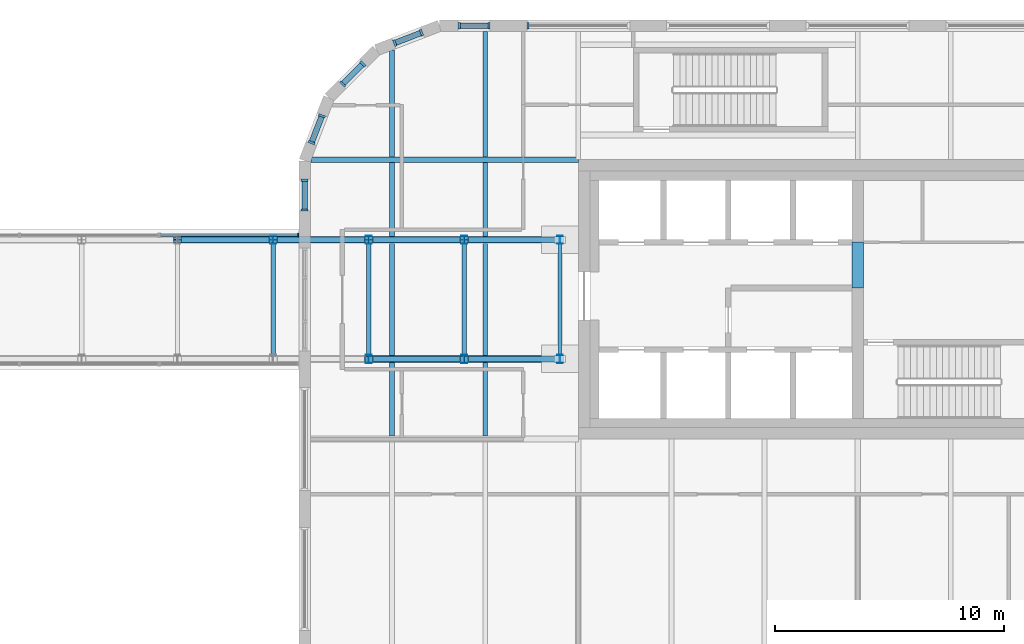
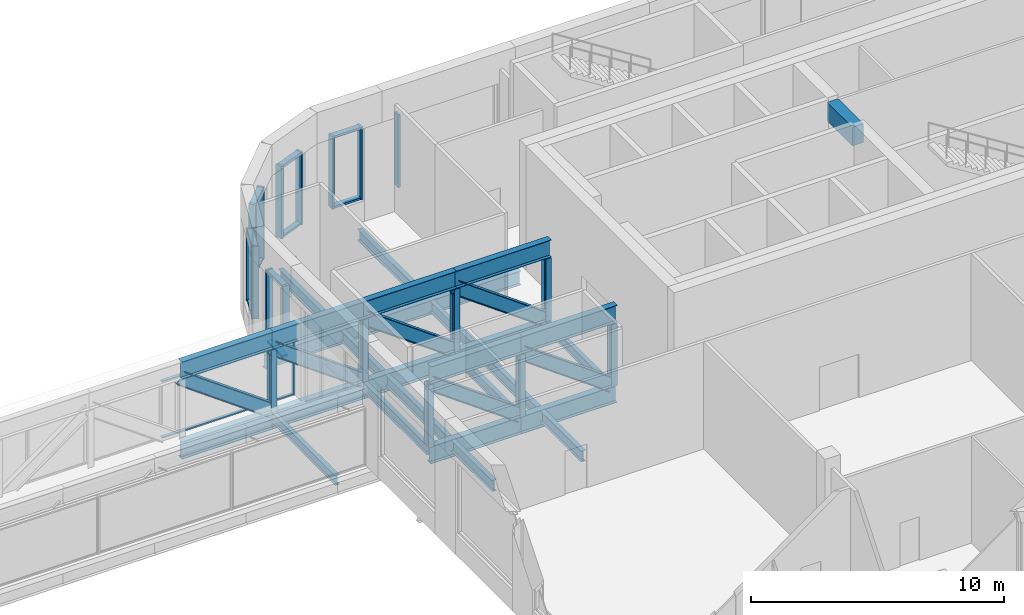
# One storey, part 11 of 36: 37 members, 26 beams, 7 elements without a shape of their own.
"""IFC4 building model written with IfcOpenShell, lengths in metres."""

from ifc_helpers import new_model, si_unit, direction, frame, origin, origin_2d, place, context, subcontext, project, spatial, rectangle, i_section, extrude, material, material_profile, profile_set, type_object, element, aggregate, save


model = new_model("IFC4")

# Units and contexts
model_context = context("Model", 3, precision=1e-05, world=origin(), true_north=direction((0.0, 1.0)))
body_context = subcontext(model_context, "Body", "Model", "MODEL_VIEW")
ifc_project = project(units=[si_unit("LENGTHUNIT", "METRE"), si_unit("AREAUNIT", "SQUARE_METRE"), si_unit("VOLUMEUNIT", "CUBIC_METRE"), si_unit("PLANEANGLEUNIT", "RADIAN"), si_unit("MASSUNIT", "GRAM", prefix="KILO")], contexts=[model_context])

# Site, building, storey
site_placement = place(None, origin())
site = spatial("IfcSite", under=ifc_project, at=site_placement, CompositionType="ELEMENT")
building_placement = place(site_placement, origin())
building = spatial("IfcBuilding", under=site, at=building_placement, Name="Tessera Gate Towers", CompositionType="ELEMENT")
storey_placement = place(building_placement, frame((0.0, 0.0, 106.60009765625)))
storey = spatial("IfcBuildingStorey", under=building, at=storey_placement, Name="L26", CompositionType="ELEMENT", Elevation=106.60009765625)

# Members
ifc_material_1 = material(Name="Steel 350W", Category="steel")
ifc_material_profile_1 = material_profile(ifc_material_1, i_section(OverallWidth=0.22998046875, OverallDepth=0.616943359375, WebThickness=0.01318359375, FlangeThickness=0.022216796875, at=origin_2d()), Name="W610x140")
ifc_profile_set_1 = profile_set([ifc_material_profile_1], Name="Steel 350W")
member_type_1 = type_object("IfcMemberType", Name="BRIDGE BRACE W610x140", PredefinedType="BRACE", material=ifc_profile_set_1)
for number, where, z_axis, x_axis, name in (
    (1, (92.624755859375, 40.10009765625, -0.25), (-0.810374241265, 0.0, 0.585912612165), (0.0, -1.0, 0.0), "BR2 bridge truss G1 brace D9"),
    (2, (96.800048828125, 40.10009765625, -0.25), (-0.810374241265, 0.0, 0.585912612165), (0.0, -1.0, 0.0), "BR2 bridge truss G1 brace D10"),
):
    element("IfcMember", number, at=place(storey_placement, frame(where, z_axis=z_axis, x_axis=x_axis)), inside=storey, type_object=member_type_1, Name=name, PredefinedType="BRACE", context=body_context, shape_type="SweptSolid", body=[
        extrude(i_section(OverallWidth=0.22998046875, OverallDepth=0.616943359375, WebThickness=0.01318359375, FlangeThickness=0.022216796875, at=origin_2d()), origin(), (0.0, 0.0, 1.0), 5.15234375),
    ])
member_1_placement = place(storey_placement, frame((84.274169921875, 45.300048828125, -0.25), z_axis=(-0.810357973442, 0.0, 0.585935111491), x_axis=(0.0, -1.0, 0.0)))
element("IfcMember", 3, at=member_1_placement, inside=storey, type_object=member_type_1, Name="BR2 bridge truss G2 brace D7", PredefinedType="BRACE", context=body_context, shape_type="SweptSolid", body=[
    extrude(i_section(OverallWidth=0.22998046875, OverallDepth=0.616943359375, WebThickness=0.01318359375, FlangeThickness=0.022216796875, at=origin_2d()), origin(), (0.0, 0.0, 1.0), 5.152099609375),
])
for number, where, z_axis, x_axis, name in (
    (4, (88.449462890625, 45.300048828125, -0.25), (-0.810374241265, 0.0, 0.585912612165), (0.0, -1.0, 0.0), "BR2 bridge truss G2 brace D8"),
    (5, (92.624755859375, 45.300048828125, -0.25), (-0.810374241265, 0.0, 0.585912612165), (0.0, -1.0, 0.0), "BR2 bridge truss G2 brace D9"),
    (6, (96.800048828125, 45.300048828125, -0.25), (-0.810374241265, 0.0, 0.585912612165), (0.0, -1.0, 0.0), "BR2 bridge truss G2 brace D10"),
):
    element("IfcMember", number, at=place(storey_placement, frame(where, z_axis=z_axis, x_axis=x_axis)), inside=storey, type_object=member_type_1, Name=name, PredefinedType="BRACE", context=body_context, shape_type="SweptSolid", body=[
        extrude(i_section(OverallWidth=0.22998046875, OverallDepth=0.616943359375, WebThickness=0.01318359375, FlangeThickness=0.022216796875, at=origin_2d()), origin(), (0.0, 0.0, 1.0), 5.15234375),
    ])

# Beams
ifc_material_2 = material(Name="Steel 350W", Category="steel")
ifc_material_profile_2 = material_profile(ifc_material_2, i_section(OverallWidth=0.2919921875, OverallDepth=0.8349609375, WebThickness=0.013916015625, FlangeThickness=0.018798828125, at=origin_2d()), Name="W840x176")
ifc_profile_set_2 = profile_set([ifc_material_profile_2], Name="Steel 350W")
beam_type_1 = type_object("IfcBeamType", Name="BRIDGE CHORD W840x176", PredefinedType="BEAM", material=ifc_profile_set_2)
for number, where, z_axis, x_axis, name in (
    (7, (88.449462890625, 40.10009765625, -0.66748046875), (1.0, 0.0, 0.0), (0.0, 1.0, 0.0), "BR2 bridge truss G1 bottom chord BC9"),
    (8, (88.449462890625, 40.10009765625, 3.1865234375), (1.0, 0.0, 0.0), (0.0, 1.0, 0.0), "BR2 bridge truss G1 top chord TC9"),
):
    element("IfcBeam", number, at=place(storey_placement, frame(where, z_axis=z_axis, x_axis=x_axis)), inside=storey, type_object=beam_type_1, Name=name, PredefinedType="BEAM", context=body_context, shape_type="SweptSolid", body=[
        extrude(i_section(OverallWidth=0.2919921875, OverallDepth=0.8349609375, WebThickness=0.013916015625, FlangeThickness=0.018798828125, at=origin_2d()), origin(), (0.0, 0.0, 1.0), 4.17529296875),
    ])
for number, where, z_axis, x_axis, name in (
    (9, (92.624755859375, 40.10009765625, -0.66748046875), (1.0, 0.0, 0.0), (0.0, 1.0, 0.0), "BR2 bridge truss G1 bottom chord BC10"),
    (10, (92.624755859375, 40.10009765625, 3.1865234375), (1.0, 0.0, 0.0), (0.0, 1.0, 0.0), "BR2 bridge truss G1 top chord TC10"),
):
    element("IfcBeam", number, at=place(storey_placement, frame(where, z_axis=z_axis, x_axis=x_axis)), inside=storey, type_object=beam_type_1, Name=name, PredefinedType="BEAM", context=body_context, shape_type="SweptSolid", body=[
        extrude(i_section(OverallWidth=0.2919921875, OverallDepth=0.8349609375, WebThickness=0.013916015625, FlangeThickness=0.018798828125, at=origin_2d()), origin(), (0.0, 0.0, 1.0), 4.32275390625),
    ])
for number, where, z_axis, x_axis, name in (
    (11, (80.09912109375, 45.300048828125, -0.66748046875), (1.0, 0.0, 0.0), (0.0, 1.0, 0.0), "BR2 bridge truss G2 bottom chord BC7"),
    (12, (80.09912109375, 45.300048828125, 3.1865234375), (1.0, 0.0, 0.0), (0.0, 1.0, 0.0), "BR2 bridge truss G2 top chord TC7"),
):
    element("IfcBeam", number, at=place(storey_placement, frame(where, z_axis=z_axis, x_axis=x_axis)), inside=storey, type_object=beam_type_1, Name=name, PredefinedType="BEAM", context=body_context, shape_type="SweptSolid", body=[
        extrude(i_section(OverallWidth=0.2919921875, OverallDepth=0.8349609375, WebThickness=0.013916015625, FlangeThickness=0.018798828125, at=origin_2d()), origin(), (0.0, 0.0, 1.0), 4.175048828125),
    ])
for number, where, z_axis, x_axis, name in (
    (13, (84.274169921875, 45.300048828125, -0.66748046875), (1.0, 0.0, 0.0), (0.0, 1.0, 0.0), "BR2 bridge truss G2 bottom chord BC8"),
    (14, (84.274169921875, 45.300048828125, 3.1865234375), (1.0, 0.0, 0.0), (0.0, 1.0, 0.0), "BR2 bridge truss G2 top chord TC8"),
    (15, (88.449462890625, 45.300048828125, -0.66748046875), (1.0, 0.0, 0.0), (0.0, 1.0, 0.0), "BR2 bridge truss G2 bottom chord BC9"),
    (16, (88.449462890625, 45.300048828125, 3.1865234375), (1.0, 0.0, 0.0), (0.0, 1.0, 0.0), "BR2 bridge truss G2 top chord TC9"),
):
    element("IfcBeam", number, at=place(storey_placement, frame(where, z_axis=z_axis, x_axis=x_axis)), inside=storey, type_object=beam_type_1, Name=name, PredefinedType="BEAM", context=body_context, shape_type="SweptSolid", body=[
        extrude(i_section(OverallWidth=0.2919921875, OverallDepth=0.8349609375, WebThickness=0.013916015625, FlangeThickness=0.018798828125, at=origin_2d()), origin(), (0.0, 0.0, 1.0), 4.17529296875),
    ])
for number, where, z_axis, x_axis, name in (
    (17, (92.624755859375, 45.300048828125, -0.66748046875), (1.0, 0.0, 0.0), (0.0, 1.0, 0.0), "BR2 bridge truss G2 bottom chord BC10"),
    (18, (92.624755859375, 45.300048828125, 3.1865234375), (1.0, 0.0, 0.0), (0.0, 1.0, 0.0), "BR2 bridge truss G2 top chord TC10"),
):
    element("IfcBeam", number, at=place(storey_placement, frame(where, z_axis=z_axis, x_axis=x_axis)), inside=storey, type_object=beam_type_1, Name=name, PredefinedType="BEAM", context=body_context, shape_type="SweptSolid", body=[
        extrude(i_section(OverallWidth=0.2919921875, OverallDepth=0.8349609375, WebThickness=0.013916015625, FlangeThickness=0.018798828125, at=origin_2d()), origin(), (0.0, 0.0, 1.0), 4.32275390625),
    ])
ifc_material_3 = material(Name="Steel 350W", Category="steel")
ifc_material_profile_3 = material_profile(ifc_material_3, i_section(OverallWidth=0.193115234375, OverallDepth=0.466064453125, WebThickness=0.011474609375, FlangeThickness=0.01904296875, at=origin_2d()), Name="W460x97")
ifc_profile_set_3 = profile_set([ifc_material_profile_3], Name="Steel 350W")
beam_type_2 = type_object("IfcBeamType", Name="BRIDGE CROSS BEAM W460x97", PredefinedType="BEAM", material=ifc_profile_set_3)
for number, where, z_axis, x_axis, name in (
    (19, (84.274169921875, 40.10693359375, -0.483154296875), (0.0, 1.0, 0.0), (-1.0, 0.0, 0.0), "BR2 bridge cross beam X7"),
    (20, (88.449462890625, 40.10693359375, -0.483154296875), (0.0, 1.0, 0.0), (-1.0, 0.0, 0.0), "BR2 bridge cross beam X8"),
    (21, (92.624755859375, 40.10693359375, -0.483154296875), (0.0, 1.0, 0.0), (-1.0, 0.0, 0.0), "BR2 bridge cross beam X9"),
    (22, (96.800048828125, 40.10693359375, -0.483154296875), (0.0, 1.0, 0.0), (-1.0, 0.0, 0.0), "BR2 bridge cross beam X10"),
):
    element("IfcBeam", number, at=place(storey_placement, frame(where, z_axis=z_axis, x_axis=x_axis)), inside=storey, type_object=beam_type_2, Name=name, PredefinedType="BEAM", context=body_context, shape_type="SweptSolid", body=[
        extrude(i_section(OverallWidth=0.193115234375, OverallDepth=0.466064453125, WebThickness=0.011474609375, FlangeThickness=0.01904296875, at=origin_2d()), origin(), (0.0, 0.0, 1.0), 5.18603515625),
    ])

# Members
ifc_material_4 = material(Name="Steel 350W", Category="steel")
ifc_material_profile_4 = material_profile(ifc_material_4, i_section(OverallWidth=0.2548828125, OverallDepth=0.35693359375, WebThickness=0.010498046875, FlangeThickness=0.018310546875, at=origin_2d()), Name="W360x101")
ifc_profile_set_4 = profile_set([ifc_material_profile_4], Name="Steel 350W")
member_type_2 = type_object("IfcMemberType", Name="BRIDGE POST W360x101", PredefinedType="POST", material=ifc_profile_set_4)
for number, where, z_axis, x_axis, name in (
    (23, (88.449462890625, 40.10009765625, -0.25), (0.0, 0.0, 1.0), (1.0, 0.0, 0.0), "BR2 bridge truss G1 post V8"),
    (24, (92.624755859375, 40.10009765625, -0.25), (0.0, 0.0, 1.0), (1.0, 0.0, 0.0), "BR2 bridge truss G1 post V9"),
    (25, (96.800048828125, 40.10009765625, -0.25), (0.0, 0.0, 1.0), (1.0, 0.0, 0.0), "BR2 bridge truss G1 post V10"),
    (26, (84.274169921875, 45.300048828125, -0.25), (0.0, 0.0, 1.0), (1.0, 0.0, 0.0), "BR2 bridge truss G2 post V7"),
    (27, (88.449462890625, 45.300048828125, -0.25), (0.0, 0.0, 1.0), (1.0, 0.0, 0.0), "BR2 bridge truss G2 post V8"),
    (28, (92.624755859375, 45.300048828125, -0.25), (0.0, 0.0, 1.0), (1.0, 0.0, 0.0), "BR2 bridge truss G2 post V9"),
    (29, (96.800048828125, 45.300048828125, -0.25), (0.0, 0.0, 1.0), (1.0, 0.0, 0.0), "BR2 bridge truss G2 post V10"),
):
    element("IfcMember", number, at=place(storey_placement, frame(where, z_axis=z_axis, x_axis=x_axis)), inside=storey, type_object=member_type_2, Name=name, PredefinedType="POST", context=body_context, shape_type="SweptSolid", body=[
        extrude(i_section(OverallWidth=0.2548828125, OverallDepth=0.35693359375, WebThickness=0.010498046875, FlangeThickness=0.018310546875, at=origin_2d()), origin(), (0.0, 0.0, 1.0), 3.018798828125),
    ])

# Beams
ifc_material_5 = material(Name="Concrete C50/60", Category="concrete")
ifc_material_profile_5 = material_profile(ifc_material_5, rectangle(XDim=0.5, YDim=0.89990234375, at=origin_2d()), Name="RC 500x900")
ifc_profile_set_5 = profile_set([ifc_material_profile_5], Name="Concrete C50/60")
beam_type_3 = type_object("IfcBeamType", Name="COUPLING BEAM 500x900 C50/60", PredefinedType="BEAM", material=ifc_profile_set_5)
beam_1_placement = place(storey_placement, frame((109.800048828125, 43.199951171875, 5.349853515625), z_axis=(0.0, 1.0, 0.0), x_axis=(-1.0, 0.0, 0.0)))
element("IfcBeam", 30, at=beam_1_placement, inside=storey, type_object=beam_type_3, Name="L26 coupling beam 1", PredefinedType="BEAM", context=body_context, shape_type="SweptSolid", body=[
    extrude(rectangle(XDim=0.5, YDim=0.89990234375, at=origin_2d()), origin(), (0.0, 0.0, 1.0), 2.0),
])
ifc_material_6 = material(Name="Steel 350W", Category="steel")
ifc_material_profile_6 = material_profile(ifc_material_6, i_section(OverallWidth=0.2529296875, OverallDepth=0.677978515625, WebThickness=0.01171875, FlangeThickness=0.016357421875, at=origin_2d()), Name="W690x125")
ifc_profile_set_6 = profile_set([ifc_material_profile_6], Name="Steel 350W")
beam_type_4 = type_object("IfcBeamType", Name="FLOOR GIRDER W690x125", PredefinedType="BEAM", material=ifc_profile_set_6)
beam_2_placement = place(storey_placement, frame((85.934814453125, 48.800048828125, -0.589111328125), z_axis=(1.0, 0.0, 0.0), x_axis=(0.0, 1.0, 0.0)))
element("IfcBeam", 31, at=beam_2_placement, inside=storey, type_object=beam_type_4, Name="T2-GD-L26-3484", PredefinedType="BEAM", context=body_context, shape_type="SweptSolid", body=[
    extrude(i_section(OverallWidth=0.2529296875, OverallDepth=0.677978515625, WebThickness=0.01171875, FlangeThickness=0.016357421875, at=origin_2d()), origin(), (0.0, 0.0, 1.0), 11.664306640625),
])
ifc_material_7 = material(Name="Steel 350W", Category="steel")
ifc_material_profile_7 = material_profile(ifc_material_7, i_section(OverallWidth=0.208984375, OverallDepth=0.528076171875, WebThickness=0.009521484375, FlangeThickness=0.01318359375, at=origin_2d()), Name="W530x82")
ifc_profile_set_7 = profile_set([ifc_material_profile_7], Name="Steel 350W")
beam_type_5 = type_object("IfcBeamType", Name="FLOOR SECONDARY W530x82", PredefinedType="BEAM", material=ifc_profile_set_7)
beam_3_placement = place(storey_placement, frame((89.466796875, 36.7265625, -0.51416015625), z_axis=(0.0, 1.0, 0.0), x_axis=(-1.0, 0.0, 0.0)))
element("IfcBeam", 32, at=beam_3_placement, inside=storey, type_object=beam_type_5, Name="T2-BM-L26-3496", PredefinedType="BEAM", context=body_context, shape_type="SweptSolid", body=[
    extrude(i_section(OverallWidth=0.208984375, OverallDepth=0.528076171875, WebThickness=0.009521484375, FlangeThickness=0.01318359375, at=origin_2d()), origin(), (0.0, 0.0, 1.0), 3.222412109375),
])
beam_4_placement = place(storey_placement, frame((89.466796875, 45.450927734375, -0.51416015625), z_axis=(0.0, 1.0, 0.0), x_axis=(-1.0, 0.0, 0.0)))
element("IfcBeam", 33, at=beam_4_placement, inside=storey, type_object=beam_type_5, Name="T2-BM-L26-3497", PredefinedType="BEAM", context=body_context, shape_type="SweptSolid", body=[
    extrude(i_section(OverallWidth=0.208984375, OverallDepth=0.528076171875, WebThickness=0.009521484375, FlangeThickness=0.01318359375, at=origin_2d()), origin(), (0.0, 0.0, 1.0), 3.22265625),
])
beam_5_placement = place(storey_placement, frame((89.466796875, 48.926513671875, -0.51416015625), z_axis=(0.0, 1.0, 0.0), x_axis=(-1.0, 0.0, 0.0)))
element("IfcBeam", 34, at=beam_5_placement, inside=storey, type_object=beam_type_5, Name="T2-BM-L26-3498", PredefinedType="BEAM", context=body_context, shape_type="SweptSolid", body=[
    extrude(i_section(OverallWidth=0.208984375, OverallDepth=0.528076171875, WebThickness=0.009521484375, FlangeThickness=0.01318359375, at=origin_2d()), origin(), (0.0, 0.0, 1.0), 4.653076171875),
])
beam_6_placement = place(storey_placement, frame((93.533203125, 36.7265625, -0.51416015625), z_axis=(0.0, 1.0, 0.0), x_axis=(-1.0, 0.0, 0.0)))
element("IfcBeam", 35, at=beam_6_placement, inside=storey, type_object=beam_type_5, Name="T2-BM-L26-3501", PredefinedType="BEAM", context=body_context, shape_type="SweptSolid", body=[
    extrude(i_section(OverallWidth=0.208984375, OverallDepth=0.528076171875, WebThickness=0.009521484375, FlangeThickness=0.01318359375, at=origin_2d()), origin(), (0.0, 0.0, 1.0), 3.222412109375),
])
beam_7_placement = place(storey_placement, frame((93.533203125, 45.450927734375, -0.51416015625), z_axis=(0.0, 1.0, 0.0), x_axis=(-1.0, 0.0, 0.0)))
element("IfcBeam", 36, at=beam_7_placement, inside=storey, type_object=beam_type_5, Name="T2-BM-L26-3502", PredefinedType="BEAM", context=body_context, shape_type="SweptSolid", body=[
    extrude(i_section(OverallWidth=0.208984375, OverallDepth=0.528076171875, WebThickness=0.009521484375, FlangeThickness=0.01318359375, at=origin_2d()), origin(), (0.0, 0.0, 1.0), 3.22265625),
])
beam_8_placement = place(storey_placement, frame((93.533203125, 48.926513671875, -0.51416015625), z_axis=(0.0, 1.0, 0.0), x_axis=(-1.0, 0.0, 0.0)))
element("IfcBeam", 37, at=beam_8_placement, inside=storey, type_object=beam_type_5, Name="T2-BM-L26-3503", PredefinedType="BEAM", context=body_context, shape_type="SweptSolid", body=[
    extrude(i_section(OverallWidth=0.208984375, OverallDepth=0.528076171875, WebThickness=0.009521484375, FlangeThickness=0.01318359375, at=origin_2d()), origin(), (0.0, 0.0, 1.0), 5.473388671875),
])
for number, where, z_axis, x_axis, name in (
    (38, (89.466796875, 40.2509765625, -0.51416015625), (0.0, 1.0, 0.0), (-1.0, 0.0, 0.0), "T2-BM-L26-3517"),
    (39, (93.533203125, 40.2509765625, -0.51416015625), (0.0, 1.0, 0.0), (-1.0, 0.0, 0.0), "T2-BM-L26-3518"),
):
    element("IfcBeam", number, at=place(storey_placement, frame(where, z_axis=z_axis, x_axis=x_axis)), inside=storey, type_object=beam_type_5, Name=name, PredefinedType="BEAM", context=body_context, shape_type="SweptSolid", body=[
        extrude(i_section(OverallWidth=0.208984375, OverallDepth=0.528076171875, WebThickness=0.009521484375, FlangeThickness=0.01318359375, at=origin_2d()), origin(), (0.0, 0.0, 1.0), 4.89794921875),
    ])

# Curtain wall, member
ifc_material_8 = material(Name="Aluminium frame", Category="aluminium")
curtain_wall_type_1 = type_object("IfcCurtainWallType", Name="CW-S3 amenity floor glazing", PredefinedType="NOTDEFINED", material=ifc_material_8)
curtain_wall_1_placement = place(storey_placement, origin())
curtain_wall_1 = element("IfcCurtainWall", 40, at=curtain_wall_1_placement, inside=storey, type_object=curtain_wall_type_1, Name="Curtain wall amenity floor glazing 0135", PredefinedType="NOTDEFINED")
ifc_material_9 = material(Name="Aluminium frame", Category="aluminium")
ifc_material_profile_8 = material_profile(ifc_material_9, rectangle(XDim=0.10009765625, YDim=0.300048828125, at=origin_2d()), Name="AL 100x300")
ifc_profile_set_8 = profile_set([ifc_material_profile_8], Name="Aluminium frame")
member_type_3 = type_object("IfcMemberType", Name="MU-S3 mullion 100x300", PredefinedType="MULLION", material=ifc_profile_set_8)
member_2_placement = place(storey_placement, frame((95.39990234375, 54.64990234375, 1.0), z_axis=(0.0, 0.0, 1.0), x_axis=(-1.0, 0.0, 0.0)))
member_2 = element("IfcMember", 41, at=member_2_placement, type_object=member_type_3, Name="T2-CW3-0135 mullion 2", PredefinedType="MULLION", context=body_context, shape_type="SweptSolid", body=[
    extrude(rectangle(XDim=0.10009765625, YDim=0.300048828125, at=origin_2d()), origin(), (0.0, 0.0, 1.0), 3.5),
])
aggregate(curtain_wall_1, [member_2])

# Curtain wall, members
curtain_wall_2_placement = place(storey_placement, origin())
curtain_wall_2 = element("IfcCurtainWall", 42, at=curtain_wall_2_placement, inside=storey, type_object=curtain_wall_type_1, Name="Curtain wall amenity floor glazing 0136", PredefinedType="NOTDEFINED")
member_3_placement = place(storey_placement, frame((93.699951171875, 54.64990234375, 1.0), z_axis=(0.0, 0.0, 1.0), x_axis=(-1.0, 0.0, 0.0)))
member_3 = element("IfcMember", 43, at=member_3_placement, type_object=member_type_3, Name="T2-CW3-0136 mullion 1", PredefinedType="MULLION", context=body_context, shape_type="SweptSolid", body=[
    extrude(rectangle(XDim=0.10009765625, YDim=0.300048828125, at=origin_2d()), origin(), (0.0, 0.0, 1.0), 3.5),
])
member_4_placement = place(storey_placement, frame((92.396484375, 54.64990234375, 1.0), z_axis=(0.0, 0.0, 1.0), x_axis=(-1.0, 0.0, 0.0)))
member_4 = element("IfcMember", 44, at=member_4_placement, type_object=member_type_3, Name="T2-CW3-0136 mullion 2", PredefinedType="MULLION", context=body_context, shape_type="SweptSolid", body=[
    extrude(rectangle(XDim=0.10009765625, YDim=0.300048828125, at=origin_2d()), origin(), (0.0, 0.0, 1.0), 3.5),
])

curtain_wall_3_placement = place(storey_placement, origin())
curtain_wall_3 = element("IfcCurtainWall", 45, at=curtain_wall_3_placement, inside=storey, type_object=curtain_wall_type_1, Name="Curtain wall amenity floor glazing 0137", PredefinedType="NOTDEFINED")
member_5_placement = place(storey_placement, frame((90.75341796875, 54.343994140625, 1.0), z_axis=(0.0, 0.0, 1.0), x_axis=(-0.932989314041, -0.359904070394, 0.0)))
member_5 = element("IfcMember", 46, at=member_5_placement, type_object=member_type_3, Name="T2-CW3-0137 mullion 1", PredefinedType="MULLION", context=body_context, shape_type="SweptSolid", body=[
    extrude(rectangle(XDim=0.10009765625, YDim=0.300048828125, at=origin_2d()), origin(), (0.0, 0.0, 1.0), 3.5),
])
member_6_placement = place(storey_placement, frame((89.586669921875, 53.89404296875, 1.0), z_axis=(0.0, 0.0, 1.0), x_axis=(-0.932989314041, -0.359904070394, 0.0)))
member_6 = element("IfcMember", 47, at=member_6_placement, type_object=member_type_3, Name="T2-CW3-0137 mullion 2", PredefinedType="MULLION", context=body_context, shape_type="SweptSolid", body=[
    extrude(rectangle(XDim=0.10009765625, YDim=0.300048828125, at=origin_2d()), origin(), (0.0, 0.0, 1.0), 3.5),
])

curtain_wall_4_placement = place(storey_placement, origin())
curtain_wall_4 = element("IfcCurtainWall", 48, at=curtain_wall_4_placement, inside=storey, type_object=curtain_wall_type_1, Name="Curtain wall amenity floor glazing 0138", PredefinedType="NOTDEFINED")
member_7_placement = place(storey_placement, frame((88.192626953125, 52.987060546875, 1.0), z_axis=(0.0, 0.0, 1.0), x_axis=(-0.707106781187, -0.707106781187, 0.0)))
member_7 = element("IfcMember", 49, at=member_7_placement, type_object=member_type_3, Name="T2-CW3-0138 mullion 1", PredefinedType="MULLION", context=body_context, shape_type="SweptSolid", body=[
    extrude(rectangle(XDim=0.10009765625, YDim=0.300048828125, at=origin_2d()), origin(), (0.0, 0.0, 1.0), 3.5),
])
member_8_placement = place(storey_placement, frame((87.31298828125, 52.107421875, 1.0), z_axis=(0.0, 0.0, 1.0), x_axis=(-0.707106781187, -0.707106781187, 0.0)))
member_8 = element("IfcMember", 50, at=member_8_placement, type_object=member_type_3, Name="T2-CW3-0138 mullion 2", PredefinedType="MULLION", context=body_context, shape_type="SweptSolid", body=[
    extrude(rectangle(XDim=0.10009765625, YDim=0.300048828125, at=origin_2d()), origin(), (0.0, 0.0, 1.0), 3.5),
])

curtain_wall_5_placement = place(storey_placement, origin())
curtain_wall_5 = element("IfcCurtainWall", 51, at=curtain_wall_5_placement, inside=storey, type_object=curtain_wall_type_1, Name="Curtain wall amenity floor glazing 0139", PredefinedType="NOTDEFINED")
member_9_placement = place(storey_placement, frame((86.406005859375, 50.713134765625, 1.0), z_axis=(0.0, 0.0, 1.0), x_axis=(-0.359904070394, -0.932989314041, 0.0)))
member_9 = element("IfcMember", 52, at=member_9_placement, type_object=member_type_3, Name="T2-CW3-0139 mullion 1", PredefinedType="MULLION", context=body_context, shape_type="SweptSolid", body=[
    extrude(rectangle(XDim=0.10009765625, YDim=0.300048828125, at=origin_2d()), origin(), (0.0, 0.0, 1.0), 3.5),
])
member_10_placement = place(storey_placement, frame((85.955810546875, 49.54638671875, 1.0), z_axis=(0.0, 0.0, 1.0), x_axis=(-0.359904070394, -0.932989314041, 0.0)))
member_10 = element("IfcMember", 53, at=member_10_placement, type_object=member_type_3, Name="T2-CW3-0139 mullion 2", PredefinedType="MULLION", context=body_context, shape_type="SweptSolid", body=[
    extrude(rectangle(XDim=0.10009765625, YDim=0.300048828125, at=origin_2d()), origin(), (0.0, 0.0, 1.0), 3.5),
])

curtain_wall_6_placement = place(storey_placement, origin())
curtain_wall_6 = element("IfcCurtainWall", 54, at=curtain_wall_6_placement, inside=storey, type_object=curtain_wall_type_1, Name="Curtain wall amenity floor glazing 0140", PredefinedType="NOTDEFINED")
member_11_placement = place(storey_placement, frame((85.64990234375, 47.903564453125, 1.0), z_axis=(0.0, 0.0, 1.0), x_axis=(0.0, -1.0, 0.0)))
member_11 = element("IfcMember", 55, at=member_11_placement, type_object=member_type_3, Name="T2-CW3-0140 mullion 1", PredefinedType="MULLION", context=body_context, shape_type="SweptSolid", body=[
    extrude(rectangle(XDim=0.10009765625, YDim=0.300048828125, at=origin_2d()), origin(), (0.0, 0.0, 1.0), 3.5),
])
member_12_placement = place(storey_placement, frame((85.64990234375, 46.60009765625, 1.0), z_axis=(0.0, 0.0, 1.0), x_axis=(0.0, -1.0, 0.0)))
member_12 = element("IfcMember", 56, at=member_12_placement, type_object=member_type_3, Name="T2-CW3-0140 mullion 2", PredefinedType="MULLION", context=body_context, shape_type="SweptSolid", body=[
    extrude(rectangle(XDim=0.10009765625, YDim=0.300048828125, at=origin_2d()), origin(), (0.0, 0.0, 1.0), 3.5),
])

# Curtain wall, member
ifc_material_10 = material(Name="Aluminium frame", Category="aluminium")
curtain_wall_type_2 = type_object("IfcCurtainWallType", Name="CW-S5 bridge enclosure", PredefinedType="NOTDEFINED", material=ifc_material_10)
curtain_wall_7_placement = place(storey_placement, origin())
curtain_wall_7 = element("IfcCurtainWall", 57, at=curtain_wall_7_placement, inside=storey, type_object=curtain_wall_type_2, Name="Curtain wall bridge enclosure 0233", PredefinedType="NOTDEFINED")
ifc_material_11 = material(Name="Aluminium frame", Category="aluminium")
ifc_material_profile_9 = material_profile(ifc_material_11, rectangle(XDim=0.06005859375, YDim=0.179931640625, at=origin_2d()), Name="AL 60x180")
ifc_profile_set_9 = profile_set([ifc_material_profile_9], Name="Aluminium frame")
member_type_4 = type_object("IfcMemberType", Name="MU-S5 mullion 60x180", PredefinedType="MULLION", material=ifc_profile_set_9)
member_13_placement = place(storey_placement, frame((85.3701171875, 45.508056640625, 0.0), z_axis=(0.0, 0.0, 1.0), x_axis=(1.0, 0.0, 0.0)))
member_13 = element("IfcMember", 58, at=member_13_placement, type_object=member_type_4, Name="BR2-CW5-0233 mullion 2", PredefinedType="MULLION", context=body_context, shape_type="SweptSolid", body=[
    extrude(rectangle(XDim=0.06005859375, YDim=0.179931640625, at=origin_2d()), origin(), (0.0, 0.0, 1.0), 2.768798828125),
])

# Member
ifc_material_12 = material(Name="Aluminium frame", Category="aluminium")
ifc_material_profile_10 = material_profile(ifc_material_12, rectangle(XDim=0.25, YDim=0.10009765625, at=origin_2d()), Name="AL 100x250")
ifc_profile_set_10 = profile_set([ifc_material_profile_10], Name="Aluminium frame")
member_type_5 = type_object("IfcMemberType", Name="TR-S3 transom 100x250", PredefinedType="USERDEFINED", material=ifc_profile_set_10)
member_14_placement = place(storey_placement, frame((93.64990234375, 54.64990234375, 1.0498046875), z_axis=(-1.0, 0.0, 0.0), x_axis=(0.0, -1.0, 0.0)))
member_14 = element("IfcMember", 59, at=member_14_placement, type_object=member_type_5, Name="T2-CW3-0136 transom 1.1", ObjectType="TRANSOM", PredefinedType="USERDEFINED", context=body_context, shape_type="SweptSolid", body=[
    extrude(rectangle(XDim=0.25, YDim=0.10009765625, at=origin_2d()), origin(), (0.0, 0.0, 1.0), 1.203369140625),
])

member_15_placement = place(storey_placement, frame((93.64990234375, 54.64990234375, 4.449951171875), z_axis=(-1.0, 0.0, 0.0), x_axis=(0.0, -1.0, 0.0)))
member_15 = element("IfcMember", 60, at=member_15_placement, type_object=member_type_5, Name="T2-CW3-0136 transom 1.2", ObjectType="TRANSOM", PredefinedType="USERDEFINED", context=body_context, shape_type="SweptSolid", body=[
    extrude(rectangle(XDim=0.25, YDim=0.10009765625, at=origin_2d()), origin(), (0.0, 0.0, 1.0), 1.203369140625),
])

aggregate(curtain_wall_2, [member_3, member_4, member_14, member_15])

member_16_placement = place(storey_placement, frame((90.706787109375, 54.326171875, 1.0498046875), z_axis=(-0.932973151687, -0.35994596571, 0.0), x_axis=(0.35994596571, -0.932973151687, 0.0)))
member_16 = element("IfcMember", 61, at=member_16_placement, type_object=member_type_5, Name="T2-CW3-0137 transom 1.1", ObjectType="TRANSOM", PredefinedType="USERDEFINED", context=body_context, shape_type="SweptSolid", body=[
    extrude(rectangle(XDim=0.25, YDim=0.10009765625, at=origin_2d()), origin(), (0.0, 0.0, 1.0), 1.150390625),
])

member_17_placement = place(storey_placement, frame((90.706787109375, 54.326171875, 4.449951171875), z_axis=(-0.932973151687, -0.35994596571, 0.0), x_axis=(0.35994596571, -0.932973151687, 0.0)))
member_17 = element("IfcMember", 62, at=member_17_placement, type_object=member_type_5, Name="T2-CW3-0137 transom 1.2", ObjectType="TRANSOM", PredefinedType="USERDEFINED", context=body_context, shape_type="SweptSolid", body=[
    extrude(rectangle(XDim=0.25, YDim=0.10009765625, at=origin_2d()), origin(), (0.0, 0.0, 1.0), 1.150390625),
])

aggregate(curtain_wall_3, [member_5, member_6, member_16, member_17])

member_18_placement = place(storey_placement, frame((88.1572265625, 52.95166015625, 1.0498046875), z_axis=(-0.70700007225, -0.707213474022, 0.0), x_axis=(0.707213474022, -0.70700007225, 0.0)))
member_18 = element("IfcMember", 63, at=member_18_placement, type_object=member_type_5, Name="T2-CW3-0138 transom 1.1", ObjectType="TRANSOM", PredefinedType="USERDEFINED", context=body_context, shape_type="SweptSolid", body=[
    extrude(rectangle(XDim=0.25, YDim=0.10009765625, at=origin_2d()), origin(), (0.0, 0.0, 1.0), 1.14404296875),
])

member_19_placement = place(storey_placement, frame((88.1572265625, 52.95166015625, 4.449951171875), z_axis=(-0.70700007225, -0.707213474022, 0.0), x_axis=(0.707213474022, -0.70700007225, 0.0)))
member_19 = element("IfcMember", 64, at=member_19_placement, type_object=member_type_5, Name="T2-CW3-0138 transom 1.2", ObjectType="TRANSOM", PredefinedType="USERDEFINED", context=body_context, shape_type="SweptSolid", body=[
    extrude(rectangle(XDim=0.25, YDim=0.10009765625, at=origin_2d()), origin(), (0.0, 0.0, 1.0), 1.14404296875),
])

aggregate(curtain_wall_4, [member_7, member_8, member_18, member_19])

member_20_placement = place(storey_placement, frame((86.387939453125, 50.66650390625, 1.0498046875), z_axis=(-0.35994596571, -0.932973151687, 0.0), x_axis=(0.932973151687, -0.35994596571, 0.0)))
member_20 = element("IfcMember", 65, at=member_20_placement, type_object=member_type_5, Name="T2-CW3-0139 transom 1.1", ObjectType="TRANSOM", PredefinedType="USERDEFINED", context=body_context, shape_type="SweptSolid", body=[
    extrude(rectangle(XDim=0.25, YDim=0.10009765625, at=origin_2d()), origin(), (0.0, 0.0, 1.0), 1.150390625),
])

member_21_placement = place(storey_placement, frame((86.387939453125, 50.66650390625, 4.449951171875), z_axis=(-0.35994596571, -0.932973151687, 0.0), x_axis=(0.932973151687, -0.35994596571, 0.0)))
member_21 = element("IfcMember", 66, at=member_21_placement, type_object=member_type_5, Name="T2-CW3-0139 transom 1.2", ObjectType="TRANSOM", PredefinedType="USERDEFINED", context=body_context, shape_type="SweptSolid", body=[
    extrude(rectangle(XDim=0.25, YDim=0.10009765625, at=origin_2d()), origin(), (0.0, 0.0, 1.0), 1.150390625),
])

aggregate(curtain_wall_5, [member_9, member_10, member_20, member_21])

member_22_placement = place(storey_placement, frame((85.64990234375, 47.853515625, 1.0498046875), z_axis=(0.0, -1.0, 0.0), x_axis=(1.0, 0.0, 0.0)))
member_22 = element("IfcMember", 67, at=member_22_placement, type_object=member_type_5, Name="T2-CW3-0140 transom 1.1", ObjectType="TRANSOM", PredefinedType="USERDEFINED", context=body_context, shape_type="SweptSolid", body=[
    extrude(rectangle(XDim=0.25, YDim=0.10009765625, at=origin_2d()), origin(), (0.0, 0.0, 1.0), 1.20361328125),
])

member_23_placement = place(storey_placement, frame((85.64990234375, 47.853515625, 4.449951171875), z_axis=(0.0, -1.0, 0.0), x_axis=(1.0, 0.0, 0.0)))
member_23 = element("IfcMember", 68, at=member_23_placement, type_object=member_type_5, Name="T2-CW3-0140 transom 1.2", ObjectType="TRANSOM", PredefinedType="USERDEFINED", context=body_context, shape_type="SweptSolid", body=[
    extrude(rectangle(XDim=0.25, YDim=0.10009765625, at=origin_2d()), origin(), (0.0, 0.0, 1.0), 1.20361328125),
])

aggregate(curtain_wall_6, [member_11, member_12, member_22, member_23])

ifc_material_13 = material(Name="Aluminium frame", Category="aluminium")
ifc_material_profile_11 = material_profile(ifc_material_13, rectangle(XDim=0.139892578125, YDim=0.06005859375, at=origin_2d()), Name="AL 60x140")
ifc_profile_set_11 = profile_set([ifc_material_profile_11], Name="Aluminium frame")
member_type_6 = type_object("IfcMemberType", Name="TR-S5 transom 60x140", PredefinedType="USERDEFINED", material=ifc_profile_set_11)
member_24_placement = place(storey_placement, frame((79.360107421875, 45.508056640625, 0.02978515625), z_axis=(1.0, 0.0, 0.0), x_axis=(0.0, 1.0, 0.0)))
member_24 = element("IfcMember", 69, at=member_24_placement, type_object=member_type_6, Name="BR2-CW5-0233 transom 1.1", ObjectType="TRANSOM", PredefinedType="USERDEFINED", context=body_context, shape_type="SweptSolid", body=[
    extrude(rectangle(XDim=0.139892578125, YDim=0.06005859375, at=origin_2d()), origin(), (0.0, 0.0, 1.0), 5.97998046875),
])

member_25_placement = place(storey_placement, frame((79.360107421875, 45.508056640625, 2.739013671875), z_axis=(1.0, 0.0, 0.0), x_axis=(0.0, 1.0, 0.0)))
member_25 = element("IfcMember", 70, at=member_25_placement, type_object=member_type_6, Name="BR2-CW5-0233 transom 1.2", ObjectType="TRANSOM", PredefinedType="USERDEFINED", context=body_context, shape_type="SweptSolid", body=[
    extrude(rectangle(XDim=0.139892578125, YDim=0.06005859375, at=origin_2d()), origin(), (0.0, 0.0, 1.0), 5.97998046875),
])

aggregate(curtain_wall_7, [member_13, member_24, member_25])

save(model, "model.ifc")
